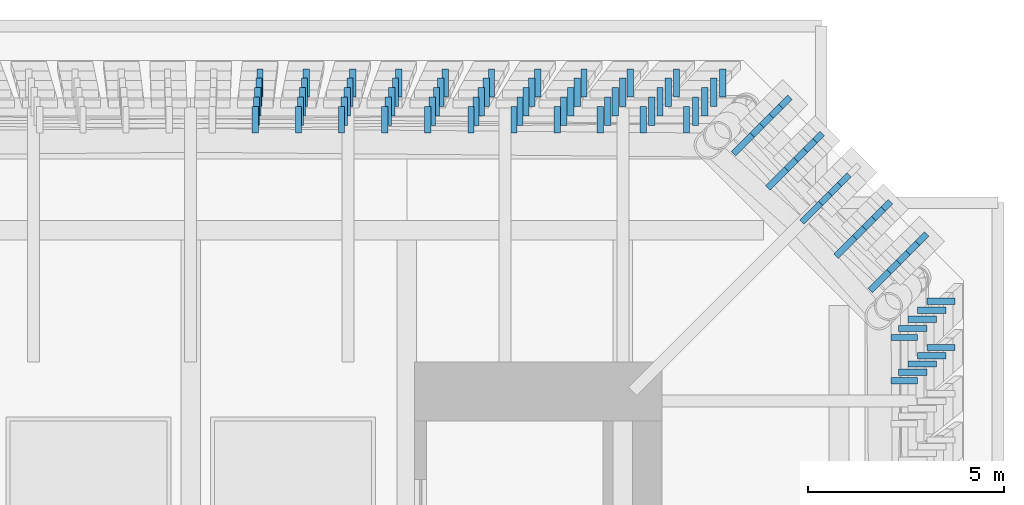
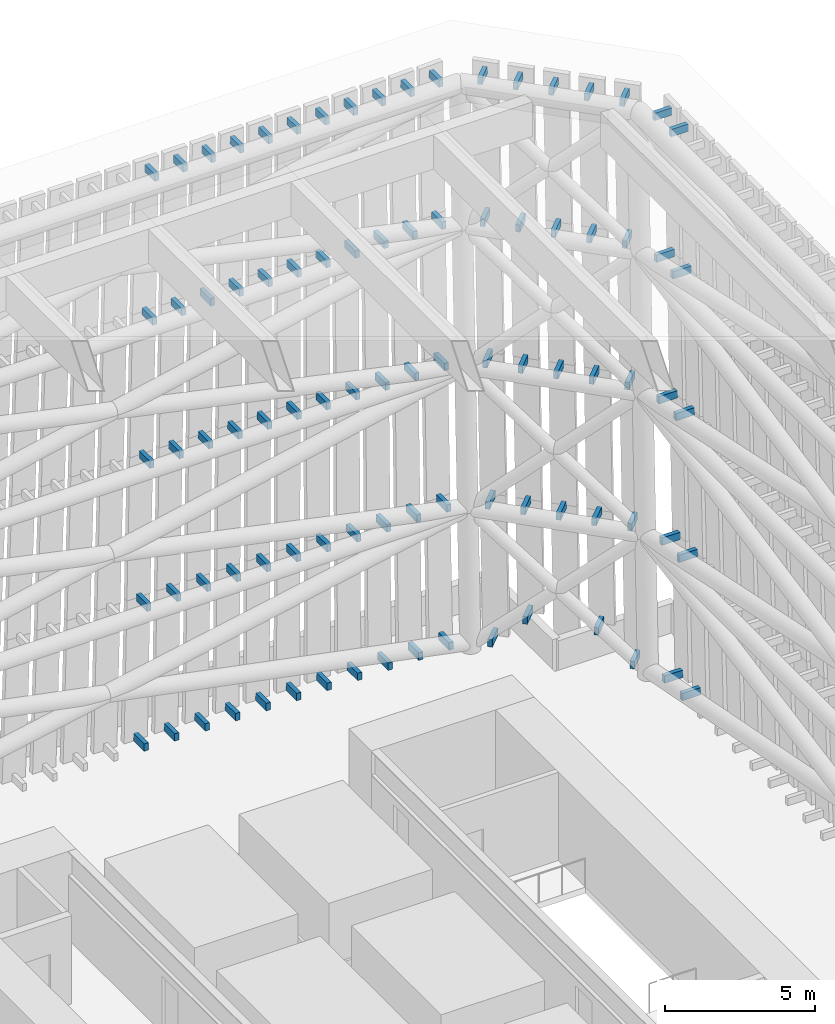
# One storey, part 6 of 13: 89 discrete accessories.
"""IFC4 building model written with IfcOpenShell, lengths in metres."""

from ifc_helpers import new_model, si_unit, direction, frame, origin, origin_2d, place, context, subcontext, project, spatial, rectangle, extrude, source, transform, mapped, material, type_object, element, save


model = new_model("IFC4")

# Units and contexts
model_context = context("Model", 3, precision=1e-05, world=origin(), true_north=direction((0.0, 1.0)))
body_context = subcontext(model_context, "Body", "Model", "MODEL_VIEW")
ifc_project = project(units=[si_unit("LENGTHUNIT", "METRE"), si_unit("AREAUNIT", "SQUARE_METRE"), si_unit("VOLUMEUNIT", "CUBIC_METRE"), si_unit("PLANEANGLEUNIT", "RADIAN"), si_unit("MASSUNIT", "GRAM", prefix="KILO")], contexts=[model_context])

# Site, building, storey
site_placement = place(None, origin())
site = spatial("IfcSite", under=ifc_project, at=site_placement, CompositionType="ELEMENT")
building_placement = place(site_placement, origin())
building = spatial("IfcBuilding", under=site, at=building_placement, Name="Peilmerk Tower", CompositionType="ELEMENT")
storey_placement = place(building_placement, frame((0.0, 0.0, 307.800048828125)))
storey = spatial("IfcBuildingStorey", under=building, at=storey_placement, Name="RF", CompositionType="ELEMENT", Elevation=307.800048828125)

# Discrete accessories
ifc_material = material(Name="Stainless steel 1.4401", Category="steel")
discrete_accessory_type = type_object("IfcDiscreteAccessoryType", Name="BR1 stainless steel fin bracket", PredefinedType="BRACKET", material=ifc_material)
shared_shape_1 = source(origin(), body_context, "Body", "SweptSolid", [
    extrude(rectangle(XDim=0.720458984375, YDim=0.159912109375, at=origin_2d()), origin(), (0.0, 0.0, 1.0), 0.300048828125),
])
for number, where, z_axis, x_axis, name in (
    (1, (14.99951171875, 18.4794921875, 0.0), (0.0, 0.0, 1.0), (0.707106781187, 0.707106781187, 0.0), "Crown fin bracket BR1 NE_N 1"),
    (2, (14.763671875, 18.24365234375, 5.85009765625), (0.0, 0.0, 1.0), (0.707106781187, 0.707106781187, 0.0), "Crown fin bracket BR1 NE_N 1"),
    (3, (14.521728515625, 18.001708984375, 11.85009765625), (0.0, 0.0, 1.0), (0.707106781187, 0.707106781187, 0.0), "Crown fin bracket BR1 NE_N 1"),
    (4, (14.27978515625, 17.759765625, 17.85009765625), (0.0, 0.0, 1.0), (0.707106781187, 0.707106781187, 0.0), "Crown fin bracket BR1 NE_N 1"),
    (5, (15.821044921875, 17.56103515625, 1.19970703125), (0.0, 0.0, 1.0), (0.707106781187, 0.707106781187, 0.0), "Crown fin bracket BR1 NE_N 2"),
    (6, (15.633544921875, 17.37353515625, 5.85009765625), (0.0, 0.0, 1.0), (0.707106781187, 0.707106781187, 0.0), "Crown fin bracket BR1 NE_N 2"),
    (7, (15.3916015625, 17.131591796875, 11.85009765625), (0.0, 0.0, 1.0), (0.707106781187, 0.707106781187, 0.0), "Crown fin bracket BR1 NE_N 2"),
    (8, (15.149658203125, 16.8896484375, 17.85009765625), (0.0, 0.0, 1.0), (0.707106781187, 0.707106781187, 0.0), "Crown fin bracket BR1 NE_N 2"),
    (9, (16.503662109375, 16.503662109375, 5.85009765625), (0.0, 0.0, 1.0), (0.707106781187, 0.707106781187, 0.0), "Crown fin bracket BR1 NE_N 3"),
    (10, (16.26171875, 16.26171875, 11.85009765625), (0.0, 0.0, 1.0), (0.707106781187, 0.707106781187, 0.0), "Crown fin bracket BR1 NE_N 3"),
    (11, (16.019775390625, 16.019775390625, 17.85009765625), (0.0, 0.0, 1.0), (0.707106781187, 0.707106781187, 0.0), "Crown fin bracket BR1 NE_N 3"),
    (12, (17.56103515625, 15.821044921875, 1.19970703125), (0.0, 0.0, 1.0), (0.707106781187, 0.707106781187, 0.0), "Crown fin bracket BR1 NE_N 4"),
    (13, (17.37353515625, 15.633544921875, 5.85009765625), (0.0, 0.0, 1.0), (0.707106781187, 0.707106781187, 0.0), "Crown fin bracket BR1 NE_N 4"),
    (14, (17.131591796875, 15.3916015625, 11.85009765625), (0.0, 0.0, 1.0), (0.707106781187, 0.707106781187, 0.0), "Crown fin bracket BR1 NE_N 4"),
    (15, (16.8896484375, 15.149658203125, 17.85009765625), (0.0, 0.0, 1.0), (0.707106781187, 0.707106781187, 0.0), "Crown fin bracket BR1 NE_N 4"),
    (16, (18.4794921875, 14.99951171875, 0.0), (0.0, 0.0, 1.0), (0.707106781187, 0.707106781187, 0.0), "Crown fin bracket BR1 NE_N 5"),
    (17, (18.24365234375, 14.763671875, 5.85009765625), (0.0, 0.0, 1.0), (0.707106781187, 0.707106781187, 0.0), "Crown fin bracket BR1 NE_N 5"),
    (18, (18.001708984375, 14.521728515625, 11.85009765625), (0.0, 0.0, 1.0), (0.707106781187, 0.707106781187, 0.0), "Crown fin bracket BR1 NE_N 5"),
    (19, (17.759765625, 14.27978515625, 17.85009765625), (0.0, 0.0, 1.0), (0.707106781187, 0.707106781187, 0.0), "Crown fin bracket BR1 NE_N 5"),
    (20, (19.0947265625, 13.540771484375, 0.0), (0.0, 0.0, 1.0), (1.0, 0.0, 0.0), "Crown fin bracket BR1 NE_E 1"),
    (21, (18.85888671875, 13.314697265625, 5.85009765625), (0.0, 0.0, 1.0), (1.0, 0.0, 0.0), "Crown fin bracket BR1 NE_E 1"),
    (22, (18.616943359375, 13.082763671875, 11.85009765625), (0.0, 0.0, 1.0), (1.0, 0.0, 0.0), "Crown fin bracket BR1 NE_E 1"),
    (23, (18.375, 12.850830078125, 17.85009765625), (0.0, 0.0, 1.0), (1.0, 0.0, 0.0), "Crown fin bracket BR1 NE_E 1"),
    (24, (19.0947265625, 12.36328125, 0.0), (0.0, 0.0, 1.0), (1.0, 0.0, 0.0), "Crown fin bracket BR1 NE_E 2"),
    (25, (18.85888671875, 12.15673828125, 5.85009765625), (0.0, 0.0, 1.0), (1.0, 0.0, 0.0), "Crown fin bracket BR1 NE_E 2"),
    (26, (18.616943359375, 11.945068359375, 11.85009765625), (0.0, 0.0, 1.0), (1.0, 0.0, 0.0), "Crown fin bracket BR1 NE_E 2"),
    (27, (18.375, 11.7333984375, 17.85009765625), (0.0, 0.0, 1.0), (1.0, 0.0, 0.0), "Crown fin bracket BR1 NE_E 2"),
    (28, (1.76611328125, 19.0947265625, 0.0), (0.0, 0.0, 1.0), (0.0, 1.0, 0.0), "Crown fin bracket BR1 NW_N 14"),
    (29, (1.736572265625, 18.85888671875, 5.85009765625), (0.0, 0.0, 1.0), (0.0, 1.0, 0.0), "Crown fin bracket BR1 NW_N 14"),
    (30, (1.70654296875, 18.616943359375, 11.85009765625), (0.0, 0.0, 1.0), (0.0, 1.0, 0.0), "Crown fin bracket BR1 NW_N 14"),
    (31, (1.67626953125, 18.375, 17.85009765625), (0.0, 0.0, 1.0), (0.0, 1.0, 0.0), "Crown fin bracket BR1 NW_N 14"),
    (32, (2.943603515625, 19.0947265625, 0.0), (0.0, 0.0, 1.0), (0.0, 1.0, 0.0), "Crown fin bracket BR1 NW_N 15"),
    (33, (2.89453125, 18.85888671875, 5.85009765625), (0.0, 0.0, 1.0), (0.0, 1.0, 0.0), "Crown fin bracket BR1 NW_N 15"),
    (34, (2.843994140625, 18.616943359375, 11.85009765625), (0.0, 0.0, 1.0), (0.0, 1.0, 0.0), "Crown fin bracket BR1 NW_N 15"),
    (35, (2.793701171875, 18.375, 17.85009765625), (0.0, 0.0, 1.0), (0.0, 1.0, 0.0), "Crown fin bracket BR1 NW_N 15"),
    (36, (4.12109375, 19.0947265625, 0.0), (0.0, 0.0, 1.0), (0.0, 1.0, 0.0), "Crown fin bracket BR1 NW_N 16"),
    (37, (4.05224609375, 18.85888671875, 5.85009765625), (0.0, 0.0, 1.0), (0.0, 1.0, 0.0), "Crown fin bracket BR1 NW_N 16"),
    (38, (3.981689453125, 18.616943359375, 11.85009765625), (0.0, 0.0, 1.0), (0.0, 1.0, 0.0), "Crown fin bracket BR1 NW_N 16"),
    (39, (3.9111328125, 18.375, 17.85009765625), (0.0, 0.0, 1.0), (0.0, 1.0, 0.0), "Crown fin bracket BR1 NW_N 16"),
    (40, (5.298583984375, 19.0947265625, 0.0), (0.0, 0.0, 1.0), (0.0, 1.0, 0.0), "Crown fin bracket BR1 NW_N 17"),
    (41, (5.2099609375, 18.85888671875, 5.85009765625), (0.0, 0.0, 1.0), (0.0, 1.0, 0.0), "Crown fin bracket BR1 NW_N 17"),
    (42, (5.119384765625, 18.616943359375, 11.85009765625), (0.0, 0.0, 1.0), (0.0, 1.0, 0.0), "Crown fin bracket BR1 NW_N 17"),
    (43, (5.028564453125, 18.375, 17.85009765625), (0.0, 0.0, 1.0), (0.0, 1.0, 0.0), "Crown fin bracket BR1 NW_N 17"),
    (44, (6.47607421875, 19.0947265625, 0.0), (0.0, 0.0, 1.0), (0.0, 1.0, 0.0), "Crown fin bracket BR1 NW_N 18"),
    (45, (6.367919921875, 18.85888671875, 5.85009765625), (0.0, 0.0, 1.0), (0.0, 1.0, 0.0), "Crown fin bracket BR1 NW_N 18"),
    (46, (6.257080078125, 18.616943359375, 11.85009765625), (0.0, 0.0, 1.0), (0.0, 1.0, 0.0), "Crown fin bracket BR1 NW_N 18"),
    (47, (6.14599609375, 18.375, 17.85009765625), (0.0, 0.0, 1.0), (0.0, 1.0, 0.0), "Crown fin bracket BR1 NW_N 18"),
    (48, (7.653564453125, 19.0947265625, 0.0), (0.0, 0.0, 1.0), (0.0, 1.0, 0.0), "Crown fin bracket BR1 NW_N 19"),
    (49, (7.525634765625, 18.85888671875, 5.85009765625), (0.0, 0.0, 1.0), (0.0, 1.0, 0.0), "Crown fin bracket BR1 NW_N 19"),
    (50, (7.39453125, 18.616943359375, 11.85009765625), (0.0, 0.0, 1.0), (0.0, 1.0, 0.0), "Crown fin bracket BR1 NW_N 19"),
    (51, (7.263671875, 18.375, 17.85009765625), (0.0, 0.0, 1.0), (0.0, 1.0, 0.0), "Crown fin bracket BR1 NW_N 19"),
    (52, (8.830810546875, 19.0947265625, 0.0), (0.0, 0.0, 1.0), (0.0, 1.0, 0.0), "Crown fin bracket BR1 NW_N 20"),
    (53, (8.683349609375, 18.85888671875, 5.85009765625), (0.0, 0.0, 1.0), (0.0, 1.0, 0.0), "Crown fin bracket BR1 NW_N 20"),
    (54, (8.5322265625, 18.616943359375, 11.85009765625), (0.0, 0.0, 1.0), (0.0, 1.0, 0.0), "Crown fin bracket BR1 NW_N 20"),
    (55, (8.381103515625, 18.375, 17.85009765625), (0.0, 0.0, 1.0), (0.0, 1.0, 0.0), "Crown fin bracket BR1 NW_N 20"),
    (56, (10.00830078125, 19.0947265625, 0.0), (0.0, 0.0, 1.0), (0.0, 1.0, 0.0), "Crown fin bracket BR1 NW_N 21"),
    (57, (9.84130859375, 18.85888671875, 5.85009765625), (0.0, 0.0, 1.0), (0.0, 1.0, 0.0), "Crown fin bracket BR1 NW_N 21"),
    (58, (9.669921875, 18.616943359375, 11.85009765625), (0.0, 0.0, 1.0), (0.0, 1.0, 0.0), "Crown fin bracket BR1 NW_N 21"),
    (59, (9.49853515625, 18.375, 17.85009765625), (0.0, 0.0, 1.0), (0.0, 1.0, 0.0), "Crown fin bracket BR1 NW_N 21"),
    (60, (11.185791015625, 19.0947265625, 0.0), (0.0, 0.0, 1.0), (0.0, 1.0, 0.0), "Crown fin bracket BR1 NW_N 22"),
    (61, (10.9990234375, 18.85888671875, 5.85009765625), (0.0, 0.0, 1.0), (0.0, 1.0, 0.0), "Crown fin bracket BR1 NW_N 22"),
    (62, (10.8076171875, 18.616943359375, 11.85009765625), (0.0, 0.0, 1.0), (0.0, 1.0, 0.0), "Crown fin bracket BR1 NW_N 22"),
    (63, (10.615966796875, 18.375, 17.85009765625), (0.0, 0.0, 1.0), (0.0, 1.0, 0.0), "Crown fin bracket BR1 NW_N 22"),
    (64, (12.36328125, 19.0947265625, 0.0), (0.0, 0.0, 1.0), (0.0, 1.0, 0.0), "Crown fin bracket BR1 NW_N 23"),
    (65, (12.15673828125, 18.85888671875, 5.85009765625), (0.0, 0.0, 1.0), (0.0, 1.0, 0.0), "Crown fin bracket BR1 NW_N 23"),
    (66, (11.945068359375, 18.616943359375, 11.85009765625), (0.0, 0.0, 1.0), (0.0, 1.0, 0.0), "Crown fin bracket BR1 NW_N 23"),
    (67, (11.7333984375, 18.375, 17.85009765625), (0.0, 0.0, 1.0), (0.0, 1.0, 0.0), "Crown fin bracket BR1 NW_N 23"),
    (68, (13.540771484375, 19.0947265625, 0.0), (0.0, 0.0, 1.0), (0.0, 1.0, 0.0), "Crown fin bracket BR1 NW_N 24"),
    (69, (13.314697265625, 18.85888671875, 5.85009765625), (0.0, 0.0, 1.0), (0.0, 1.0, 0.0), "Crown fin bracket BR1 NW_N 24"),
    (70, (13.082763671875, 18.616943359375, 11.85009765625), (0.0, 0.0, 1.0), (0.0, 1.0, 0.0), "Crown fin bracket BR1 NW_N 24"),
    (71, (12.850830078125, 18.375, 17.85009765625), (0.0, 0.0, 1.0), (0.0, 1.0, 0.0), "Crown fin bracket BR1 NW_N 24"),
):
    element("IfcDiscreteAccessory", number, at=place(storey_placement, frame(where, z_axis=z_axis, x_axis=x_axis)), inside=storey, type_object=discrete_accessory_type, Name=name, PredefinedType="BRACKET", context=body_context, shape_type="MappedRepresentation", body=[
        mapped(shared_shape_1, transform((0.0, 0.0, 0.0), scale=1.0)),
    ])
shared_shape_2 = source(origin(), body_context, "Body", "SweptSolid", [
    extrude(rectangle(XDim=0.669921875, YDim=0.159912109375, at=origin_2d()), origin(), (0.0, 0.0, 1.0), 0.300048828125),
])
for number, where, z_axis, x_axis, name in (
    (72, (14.0556640625, 17.53564453125, 23.85009765625), (0.0, 0.0, 1.0), (0.707106781187, 0.707106781187, 0.0), "Crown fin bracket BR1 NE_N 1"),
    (73, (14.925537109375, 16.66552734375, 23.85009765625), (0.0, 0.0, 1.0), (0.707106781187, 0.707106781187, 0.0), "Crown fin bracket BR1 NE_N 2"),
    (74, (15.795654296875, 15.795654296875, 23.85009765625), (0.0, 0.0, 1.0), (0.707106781187, 0.707106781187, 0.0), "Crown fin bracket BR1 NE_N 3"),
    (75, (16.66552734375, 14.925537109375, 23.85009765625), (0.0, 0.0, 1.0), (0.707106781187, 0.707106781187, 0.0), "Crown fin bracket BR1 NE_N 4"),
    (76, (17.53564453125, 14.0556640625, 23.85009765625), (0.0, 0.0, 1.0), (0.707106781187, 0.707106781187, 0.0), "Crown fin bracket BR1 NE_N 5"),
    (77, (18.158203125, 12.619140625, 23.85009765625), (0.0, 0.0, 1.0), (1.0, 0.0, 0.0), "Crown fin bracket BR1 NE_E 1"),
    (78, (18.158203125, 11.521728515625, 23.85009765625), (0.0, 0.0, 1.0), (1.0, 0.0, 0.0), "Crown fin bracket BR1 NE_E 2"),
    (79, (1.64599609375, 18.158203125, 23.85009765625), (0.0, 0.0, 1.0), (0.0, 1.0, 0.0), "Crown fin bracket BR1 NW_N 14"),
    (80, (2.7431640625, 18.158203125, 23.85009765625), (0.0, 0.0, 1.0), (0.0, 1.0, 0.0), "Crown fin bracket BR1 NW_N 15"),
    (81, (3.840576171875, 18.158203125, 23.85009765625), (0.0, 0.0, 1.0), (0.0, 1.0, 0.0), "Crown fin bracket BR1 NW_N 16"),
    (82, (4.93798828125, 18.158203125, 23.85009765625), (0.0, 0.0, 1.0), (0.0, 1.0, 0.0), "Crown fin bracket BR1 NW_N 17"),
    (83, (6.03515625, 18.158203125, 23.85009765625), (0.0, 0.0, 1.0), (0.0, 1.0, 0.0), "Crown fin bracket BR1 NW_N 18"),
    (84, (7.132568359375, 18.158203125, 23.85009765625), (0.0, 0.0, 1.0), (0.0, 1.0, 0.0), "Crown fin bracket BR1 NW_N 19"),
    (85, (8.229736328125, 18.158203125, 23.85009765625), (0.0, 0.0, 1.0), (0.0, 1.0, 0.0), "Crown fin bracket BR1 NW_N 20"),
    (86, (9.3271484375, 18.158203125, 23.85009765625), (0.0, 0.0, 1.0), (0.0, 1.0, 0.0), "Crown fin bracket BR1 NW_N 21"),
    (87, (10.424560546875, 18.158203125, 23.85009765625), (0.0, 0.0, 1.0), (0.0, 1.0, 0.0), "Crown fin bracket BR1 NW_N 22"),
    (88, (11.521728515625, 18.158203125, 23.85009765625), (0.0, 0.0, 1.0), (0.0, 1.0, 0.0), "Crown fin bracket BR1 NW_N 23"),
    (89, (12.619140625, 18.158203125, 23.85009765625), (0.0, 0.0, 1.0), (0.0, 1.0, 0.0), "Crown fin bracket BR1 NW_N 24"),
):
    element("IfcDiscreteAccessory", number, at=place(storey_placement, frame(where, z_axis=z_axis, x_axis=x_axis)), inside=storey, type_object=discrete_accessory_type, Name=name, PredefinedType="BRACKET", context=body_context, shape_type="MappedRepresentation", body=[
        mapped(shared_shape_2, transform((0.0, 0.0, 0.0), scale=1.0)),
    ])

save(model, "model.ifc")
